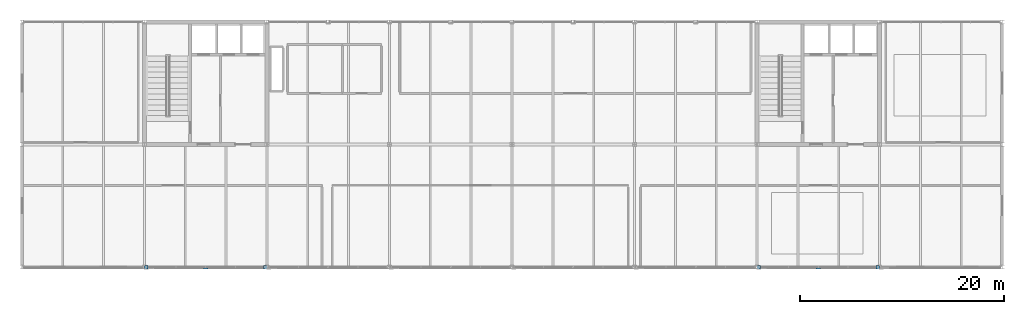
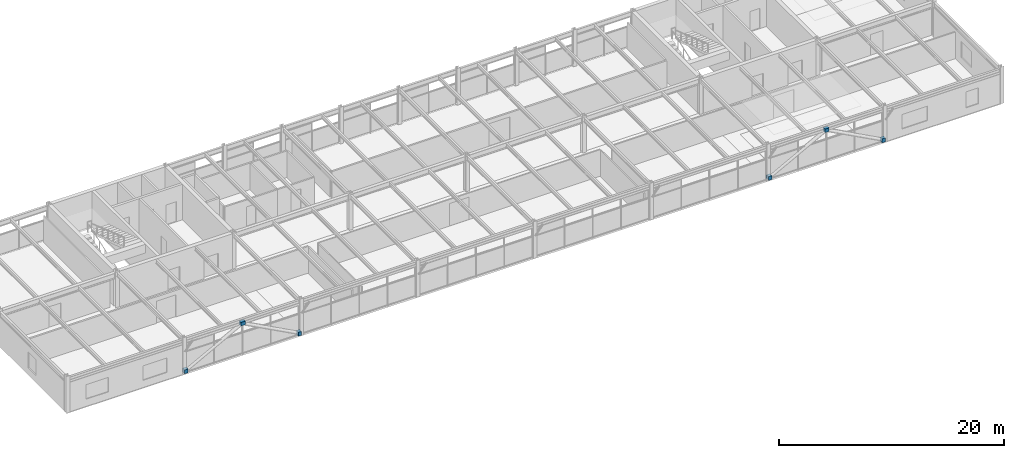
# One storey, part 38 of 40: 6 discrete accessories.
"""IFC4 building model written with IfcOpenShell, lengths in metres."""

import ifcopenshell
import ifcopenshell.guid

model = None  # the IFC model being written
_history = None  # IfcOwnerHistory: only IFC2X3 demands one
_inside = {}  # id of a spatial element -> (the spatial element, [elements in it])
_under = {}  # id of a project, library or spatial element -> (it, [spatial elements below it])
_declared = {}  # id of a project -> (the project, [libraries it declares])
_typed = {}  # id of a type object -> (the type object, [elements of that type])
_made_of = {}  # id of a material, layer set ... -> (it, [elements and type objects made of it])


def new_model(schema):
    """Start an empty IFC model of exactly this schema.

    Asked for "IFC4X3", IfcOpenShell would pick the latest addendum, in which some entities
    have other attributes; the version numbers below select the first issue.
    IFC2X3 requires an IfcOwnerHistory on every rooted entity: one is made here for all.
    """
    global model, _history
    if schema == "IFC4X3":
        model = ifcopenshell.file(schema_version=(4, 3, 0, 0))
    else:
        model = ifcopenshell.file(schema=schema)
    _inside.clear()
    _under.clear()
    _declared.clear()
    _typed.clear()
    _made_of.clear()
    _history = None
    if model.schema == "IFC2X3":
        org = make("IfcOrganization", Name="unknown")
        user = make(
            "IfcPersonAndOrganization",
            ThePerson=make("IfcPerson", FamilyName="unknown"),
            TheOrganization=org,
        )
        app = make(
            "IfcApplication",
            ApplicationDeveloper=org,
            Version="unknown",
            ApplicationFullName="unknown",
            ApplicationIdentifier="unknown",
        )
        _history = make(
            "IfcOwnerHistory",
            OwningUser=user,
            OwningApplication=app,
            ChangeAction="ADDED",
            CreationDate=0,
        )
    return model


def make(cls, **values):
    """One entity of the class cls with the attributes given. An attribute that is None is left unset."""
    return model.create_entity(
        cls, **{name: value for name, value in values.items() if value is not None}
    )


def rooted(cls, **values):
    """An entity with a GlobalId (a new one), such as an element, a storey or a relation."""
    return make(cls, GlobalId=ifcopenshell.guid.new(), OwnerHistory=_history, **values)


def si_unit(unit_type, name, prefix=None):
    """IfcSIUnit, for example si_unit("LENGTHUNIT", "METRE", prefix="MILLI")."""
    return make("IfcSIUnit", UnitType=unit_type, Prefix=prefix, Name=name)


def assignment(units):
    """IfcUnitAssignment: the units of a project."""
    return None if units is None else make("IfcUnitAssignment", Units=units)


def point(xyz):
    """IfcCartesianPoint."""
    return None if xyz is None else make("IfcCartesianPoint", Coordinates=xyz)


def direction(xyz):
    """IfcDirection."""
    return None if xyz is None else make("IfcDirection", DirectionRatios=xyz)


def frame(location, z_axis=None, x_axis=None):
    """IfcAxis2Placement3D, a coordinate frame: its origin and axes. An axis left out is left unset."""
    return make(
        "IfcAxis2Placement3D",
        Location=point(location),
        Axis=direction(z_axis),
        RefDirection=direction(x_axis),
    )


def frame_2d(location, x_axis=None):
    """IfcAxis2Placement2D, a coordinate frame in the plane: its origin and x axis."""
    return make(
        "IfcAxis2Placement2D", Location=point(location), RefDirection=direction(x_axis)
    )


def origin():
    """The frame at (0, 0, 0) with its axes left unset."""
    return frame((0.0, 0.0, 0.0))


def origin_2d():
    """The frame at (0, 0) in the plane with its x axis left unset."""
    return frame_2d((0.0, 0.0))


def place(relative_to, where):
    """IfcLocalPlacement: puts the frame where relative to a parent placement (None: the world)."""
    return make(
        "IfcLocalPlacement", PlacementRelTo=relative_to, RelativePlacement=where
    )


def context(
    kind, dimensions, precision=None, world=None, true_north=None, identifier=None
):
    """IfcGeometricRepresentationContext, for example the 3D "Model" context."""
    return make(
        "IfcGeometricRepresentationContext",
        ContextIdentifier=identifier,
        ContextType=kind,
        CoordinateSpaceDimension=dimensions,
        Precision=precision,
        WorldCoordinateSystem=world,
        TrueNorth=true_north,
    )


def subcontext(parent, identifier, kind, view, scale=None):
    """IfcGeometricRepresentationSubContext, for example "Body" below "Model"."""
    return make(
        "IfcGeometricRepresentationSubContext",
        ContextIdentifier=identifier,
        ContextType=kind,
        ParentContext=parent,
        TargetScale=scale,
        TargetView=view,
    )


def project(units=None, contexts=None):
    """IfcProject with its units and contexts."""
    return rooted(
        "IfcProject",
        Name="project",
        RepresentationContexts=contexts,
        UnitsInContext=assignment(units),
    )


def spatial(cls, under=None, at=None, **own):
    """A site, building, storey or space (cls), placed at a placement, below another one or the project."""
    s = rooted(cls, ObjectPlacement=at, **own)
    if under is not None:
        _under.setdefault(under.id(), (under, []))[1].append(s)
    return s


def profile(cls, at=None, kind="AREA", **sizes):
    """A parametric profile (cls). Its sizes go by their IFC names, for example OverallWidth=200.0."""
    return make(cls, ProfileType=kind, Position=at, **sizes)


def rectangle(**sizes):
    """IfcRectangleProfileDef."""
    return profile("IfcRectangleProfileDef", **sizes)


def extrude(swept, where, along, depth):
    """IfcExtrudedAreaSolid: the profile swept, set in the frame where, extruded along a direction by depth."""
    return make(
        "IfcExtrudedAreaSolid",
        SweptArea=swept,
        Position=where,
        ExtrudedDirection=direction(along),
        Depth=depth,
    )


def shape(context_of_items, identifier, shape_type, items):
    """IfcShapeRepresentation: the items that make up one representation, for example the "Body"."""
    return make(
        "IfcShapeRepresentation",
        ContextOfItems=context_of_items,
        RepresentationIdentifier=identifier,
        RepresentationType=shape_type,
        Items=items,
    )


def material(Name=None, Category=None):
    """IfcMaterial."""
    return make("IfcMaterial", Name=Name, Category=Category)


def made_of(thing, what):
    """Note that an element or type object is made of a material, layer set ...; save() writes the relation."""
    if what is not None:
        _made_of.setdefault(what.id(), (what, []))[1].append(thing)
    return thing


def type_object(cls, material=None, **own):
    """A type object (cls), such as IfcWallType, which elements share."""
    return made_of(rooted(cls, **own), material)


def element(
    cls,
    number,
    at=None,
    inside=None,
    cuts=None,
    type_object=None,
    material=None,
    context=None,
    identifier="Body",
    shape_type=None,
    held_by="IfcProductDefinitionShape",
    body=None,
    shapes=None,
    **own,
):
    """One element of the class cls, such as IfcWall. Its Tag is "e" and its number.

    at: its placement. inside: the storey or other place that contains it. cuts: it is an
    opening in that element (IfcRelVoidsElement). A single representation is given by context,
    identifier, shape_type and body (its items); several are given by shapes. held_by: the class
    of the entity that holds the representations. save() writes the other relations.
    """
    e = rooted(cls, Tag="e%d" % number, ObjectPlacement=at, **own)
    if body is not None:
        shapes = [shape(context, identifier, shape_type, body)]
    if shapes is not None:
        e.Representation = make(held_by, Representations=shapes)
    if inside is not None:
        _inside.setdefault(inside.id(), (inside, []))[1].append(e)
    if cuts is not None:
        rooted(
            "IfcRelVoidsElement", RelatingBuildingElement=cuts, RelatedOpeningElement=e
        )
    if type_object is not None:
        _typed.setdefault(type_object.id(), (type_object, []))[1].append(e)
    return made_of(e, material)


def aggregate(whole, parts):
    """IfcRelAggregates: a whole, such as a stair, and the parts it consists of."""
    return rooted("IfcRelAggregates", RelatingObject=whole, RelatedObjects=parts)


def save(model, path):
    """Write the relations noted so far, then the file.

    IfcRelAggregates (storeys below a building ...), IfcRelContainedInSpatialStructure (elements
    in a storey), IfcRelDefinesByType, IfcRelAssociatesMaterial and IfcRelDeclares: one each for
    every whole, place, type object, material and project.
    """
    for whole, parts in _under.values():
        aggregate(whole, parts)
    for where, things in _inside.values():
        rooted(
            "IfcRelContainedInSpatialStructure",
            RelatedElements=things,
            RelatingStructure=where,
        )
    for kind, things in _typed.values():
        rooted("IfcRelDefinesByType", RelatedObjects=things, RelatingType=kind)
    for what, things in _made_of.values():
        rooted("IfcRelAssociatesMaterial", RelatedObjects=things, RelatingMaterial=what)
    for by, libraries in _declared.values():
        rooted("IfcRelDeclares", RelatingContext=by, RelatedDefinitions=libraries)
    model.write(path)


model = new_model("IFC4")

# Units and contexts
model_context = context("Model", 3, precision=1e-05, world=origin(), true_north=direction((0.0, 1.0)))
body_context = subcontext(model_context, "Body", "Model", "MODEL_VIEW")
ifc_project = project(units=[si_unit("LENGTHUNIT", "METRE"), si_unit("AREAUNIT", "SQUARE_METRE"), si_unit("VOLUMEUNIT", "CUBIC_METRE"), si_unit("PLANEANGLEUNIT", "RADIAN"), si_unit("MASSUNIT", "GRAM", prefix="KILO")], contexts=[model_context])

# Site, building, storey
site_placement = place(None, origin())
site = spatial("IfcSite", under=ifc_project, at=site_placement, CompositionType="ELEMENT")
building_placement = place(site_placement, origin())
building = spatial("IfcBuilding", under=site, at=building_placement, Name="Girod Span Mobility Hub", CompositionType="ELEMENT")
storey_placement = place(building_placement, frame((0.0, 0.0, 57.60009765625)))
storey = spatial("IfcBuildingStorey", under=building, at=storey_placement, Name="L14", CompositionType="ELEMENT", Elevation=57.60009765625)

# Discrete accessories
ifc_material = material(Name="Steel HSS A500 Grade C", Category="steel")
discrete_accessory_type = type_object("IfcDiscreteAccessoryType", Name="ACC-CAP-HSS324", PredefinedType="BRACKET", material=ifc_material)
for number, where, z_axis, x_axis, name in (
    (1, (48.162353515625, 45.0, 0.0400390625), (0.0, 0.0, 1.0), (1.0, 0.0, 0.0), "Diagrid Brace End Cap Gusset 5/D-L L14"),
    (2, (59.837646484375, 45.0, 0.0400390625), (0.0, 0.0, 1.0), (1.0, 0.0, 0.0), "Diagrid Brace End Cap Gusset 5/D-R L14"),
):
    element("IfcDiscreteAccessory", number, at=place(storey_placement, frame(where, z_axis=z_axis, x_axis=x_axis)), inside=storey, type_object=discrete_accessory_type, Name=name, PredefinedType="BRACKET", context=body_context, shape_type="SweptSolid", body=[
        extrude(rectangle(XDim=0.344482421875, YDim=0.360107421875, at=origin_2d()), origin(), (0.0, 0.0, 1.0), 0.419921875),
    ])
discrete_accessory_1_placement = place(storey_placement, frame((54.0, 45.0, 3.2060546875), z_axis=(0.0, 0.0, 1.0), x_axis=(1.0, 0.0, 0.0)))
element("IfcDiscreteAccessory", 3, at=discrete_accessory_1_placement, inside=storey, type_object=discrete_accessory_type, Name="Diagrid Brace Apex End Cap Gusset 5/D-M L14", PredefinedType="BRACKET", context=body_context, shape_type="SweptSolid", body=[
    extrude(rectangle(XDim=0.43994140625, YDim=0.360107421875, at=origin_2d()), origin(), (0.0, 0.0, 1.0), 0.3798828125),
])
for number, where, z_axis, x_axis, name in (
    (4, (108.162353515625, 45.0, 0.0400390625), (0.0, 0.0, 1.0), (1.0, 0.0, 0.0), "Diagrid Brace End Cap Gusset 10/D-L L14"),
    (5, (119.837646484375, 45.0, 0.0400390625), (0.0, 0.0, 1.0), (1.0, 0.0, 0.0), "Diagrid Brace End Cap Gusset 10/D-R L14"),
):
    element("IfcDiscreteAccessory", number, at=place(storey_placement, frame(where, z_axis=z_axis, x_axis=x_axis)), inside=storey, type_object=discrete_accessory_type, Name=name, PredefinedType="BRACKET", context=body_context, shape_type="SweptSolid", body=[
        extrude(rectangle(XDim=0.344482421875, YDim=0.360107421875, at=origin_2d()), origin(), (0.0, 0.0, 1.0), 0.419921875),
    ])
discrete_accessory_2_placement = place(storey_placement, frame((114.0, 45.0, 3.2060546875), z_axis=(0.0, 0.0, 1.0), x_axis=(1.0, 0.0, 0.0)))
element("IfcDiscreteAccessory", 6, at=discrete_accessory_2_placement, inside=storey, type_object=discrete_accessory_type, Name="Diagrid Brace Apex End Cap Gusset 10/D-M L14", PredefinedType="BRACKET", context=body_context, shape_type="SweptSolid", body=[
    extrude(rectangle(XDim=0.43994140625, YDim=0.360107421875, at=origin_2d()), origin(), (0.0, 0.0, 1.0), 0.3798828125),
])

save(model, "model.ifc")
